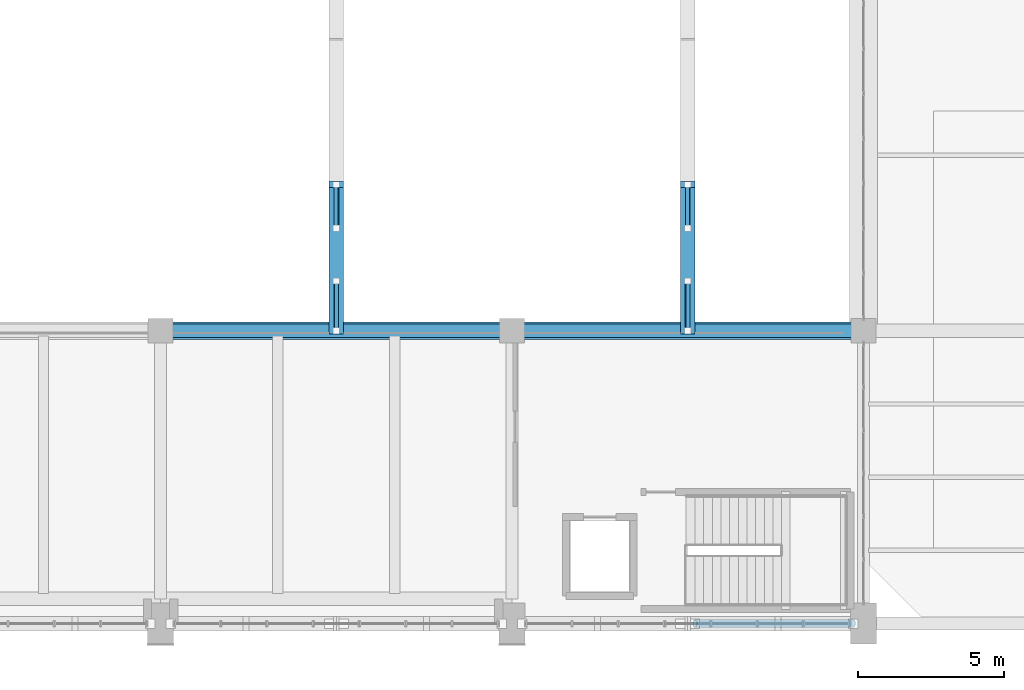
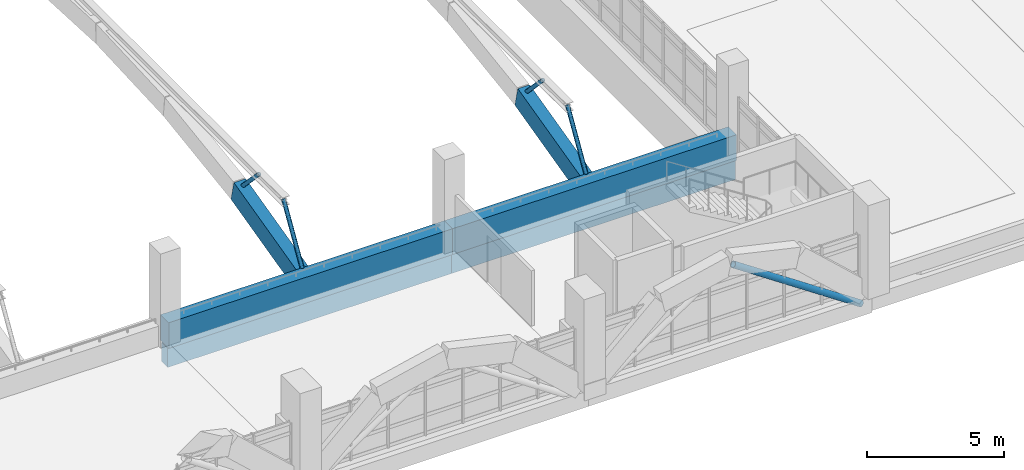
# One storey, part 38 of 161: 6 beams, 5 members.
"""IFC4 building model written with IfcOpenShell, lengths in metres."""

from ifc_helpers import new_model, si_unit, direction, frame, origin, origin_2d, place, context, subcontext, project, spatial, rectangle, hollow_circle, extrude, material, material_profile, profile_set, type_object, element, save


model = new_model("IFC4")

# Units and contexts
model_context = context("Model", 3, precision=1e-05, world=origin(), true_north=direction((0.0, 1.0)))
body_context = subcontext(model_context, "Body", "Model", "MODEL_VIEW")
ifc_project = project(units=[si_unit("LENGTHUNIT", "METRE"), si_unit("AREAUNIT", "SQUARE_METRE"), si_unit("VOLUMEUNIT", "CUBIC_METRE"), si_unit("PLANEANGLEUNIT", "RADIAN"), si_unit("MASSUNIT", "GRAM", prefix="KILO")], contexts=[model_context])

# Site, building, storey
site_placement = place(None, origin())
site = spatial("IfcSite", under=ifc_project, at=site_placement, CompositionType="ELEMENT")
building_placement = place(site_placement, origin())
building = spatial("IfcBuilding", under=site, at=building_placement, Name="Mersad Railyard Sports Hall", CompositionType="ELEMENT")
storey_placement = place(building_placement, frame((0.0, 0.0, 4.800048828125)))
storey = spatial("IfcBuildingStorey", under=building, at=storey_placement, Name="L01", CompositionType="ELEMENT", Elevation=4.800048828125)

# Beams
ifc_material_1 = material(Name="Concrete C40/50", Category="concrete")
ifc_material_profile_1 = material_profile(ifc_material_1, rectangle(XDim=0.449951171875, YDim=0.85009765625, at=origin_2d()), Name="RC 450x850")
ifc_profile_set_1 = profile_set([ifc_material_profile_1], Name="Concrete C40/50")
beam_type_1 = type_object("IfcBeamType", Name="STR-BM-B02", PredefinedType="BEAM", material=ifc_profile_set_1)
for number, where, z_axis, x_axis, name in (
    (1, (67.0, 13.5, -0.705078125), (1.0, 0.0, 0.0), (0.0, 1.0, 0.0), "Beam B02-0293"),
    (2, (79.0, 13.5, -0.705078125), (1.0, 0.0, 0.0), (0.0, 1.0, 0.0), "Beam B02-0318"),
):
    element("IfcBeam", number, at=place(storey_placement, frame(where, z_axis=z_axis, x_axis=x_axis)), inside=storey, type_object=beam_type_1, Name=name, PredefinedType="BEAM", context=body_context, shape_type="SweptSolid", body=[
        extrude(rectangle(XDim=0.449951171875, YDim=0.85009765625, at=origin_2d()), origin(), (0.0, 0.0, 1.0), 12.0),
    ])
ifc_material_2 = material(Name="Concrete C50/60", Category="concrete")
ifc_material_profile_2 = material_profile(ifc_material_2, rectangle(XDim=0.60009765625, YDim=1.14990234375, at=origin_2d()), Name="RC 600x1150")
ifc_profile_set_2 = profile_set([ifc_material_profile_2], Name="Concrete C50/60")
beam_type_2 = type_object("IfcBeamType", Name="STR-BM-B05", PredefinedType="BEAM", material=ifc_profile_set_2)
for number, where, z_axis, x_axis, name in (
    (3, (67.0, 13.5, 0.33984375), (1.0, 0.0, 0.0), (0.0, 1.0, 0.0), "Beam B05-0544"),
    (4, (79.0, 13.5, 0.33984375), (1.0, 0.0, 0.0), (0.0, 1.0, 0.0), "Beam B05-0552"),
):
    element("IfcBeam", number, at=place(storey_placement, frame(where, z_axis=z_axis, x_axis=x_axis)), inside=storey, type_object=beam_type_2, Name=name, PredefinedType="BEAM", context=body_context, shape_type="SweptSolid", body=[
        extrude(rectangle(XDim=0.60009765625, YDim=1.14990234375, at=origin_2d()), origin(), (0.0, 0.0, 1.0), 12.0),
    ])
ifc_material_3 = material(Name="Architectural concrete C50/60", Category="concrete")
ifc_material_profile_3 = material_profile(ifc_material_3, rectangle(XDim=0.5, YDim=0.89990234375, at=origin_2d()), Name="VR 500x900")
ifc_profile_set_3 = profile_set([ifc_material_profile_3], Name="Architectural concrete C50/60")
beam_type_3 = type_object("IfcBeamType", Name="STR-BM-VR02", PredefinedType="BEAM", material=ifc_profile_set_3)
for number, where, z_axis, x_axis, name in (
    (5, (73.0, 13.5, 0.339599609375), (0.0, 0.970609045837, 0.240661754627), (-1.0, 0.0, 0.0), "Beam VR02-0546"),
    (6, (85.0, 13.5, 0.339599609375), (0.0, 0.970609045837, 0.240661754627), (-1.0, 0.0, 0.0), "Beam VR02-0554"),
):
    element("IfcBeam", number, at=place(storey_placement, frame(where, z_axis=z_axis, x_axis=x_axis)), inside=storey, type_object=beam_type_3, Name=name, PredefinedType="BEAM", context=body_context, shape_type="SweptSolid", body=[
        extrude(rectangle(XDim=0.5, YDim=0.89990234375, at=origin_2d()), origin(), (0.0, 0.0, 1.0), 5.1513671875),
    ])

# Members
ifc_material_4 = material(Name="Steel S355", Category="steel")
ifc_material_profile_4 = material_profile(ifc_material_4, hollow_circle(Radius=0.136474609375, WallThickness=0.012451171875, at=origin_2d()), Name="CHS 273x12.5")
ifc_profile_set_4 = profile_set([ifc_material_profile_4], Name="Steel S355")
member_type_1 = type_object("IfcMemberType", Name="STR-MEM-BR02", PredefinedType="BRACE", material=ifc_profile_set_4)
member_1_placement = place(storey_placement, frame((90.64990234375, 3.5, -0.6201171875), z_axis=(-0.829190125257, 0.0, 0.558966668215), x_axis=(0.0, -1.0, 0.0)))
element("IfcMember", 7, at=member_1_placement, inside=storey, type_object=member_type_1, Name="Structural member BR02-0026", PredefinedType="BRACE", context=body_context, shape_type="SweptSolid", body=[
    extrude(hollow_circle(Radius=0.136474609375, WallThickness=0.012451171875, at=origin_2d()), origin(), (0.0, 0.0, 1.0), 6.51220703125),
])
ifc_material_profile_5 = material_profile(ifc_material_4, hollow_circle(Radius=0.084228515625, WallThickness=0.008056640625, at=origin_2d()), Name="CHS 168.3x8")
ifc_profile_set_5 = profile_set([ifc_material_profile_5], Name="Steel S355")
member_type_2 = type_object("IfcMemberType", Name="STR-MEM-BR03", PredefinedType="BRACE", material=ifc_profile_set_5)
member_2_placement = place(storey_placement, frame((73.0, 13.5, 0.339599609375), z_axis=(0.0, 0.517575030521, 0.855637825123), x_axis=(-1.0, 0.0, 0.0)))
element("IfcMember", 8, at=member_2_placement, inside=storey, type_object=member_type_2, Name="Structural member BR03-0085", PredefinedType="BRACE", context=body_context, shape_type="SweptSolid", body=[
    extrude(hollow_circle(Radius=0.084228515625, WallThickness=0.008056640625, at=origin_2d()), origin(), (0.0, 0.0, 1.0), 3.284423828125),
])
member_3_placement = place(storey_placement, frame((73.0, 18.5, 1.579345703125), z_axis=(0.0, -0.690676243766, 0.723164107446), x_axis=(1.0, 0.0, 0.0)))
element("IfcMember", 9, at=member_3_placement, inside=storey, type_object=member_type_2, Name="Structural member BR03-0086", PredefinedType="BRACE", context=body_context, shape_type="SweptSolid", body=[
    extrude(hollow_circle(Radius=0.084228515625, WallThickness=0.008056640625, at=origin_2d()), origin(), (0.0, 0.0, 1.0), 2.171875),
])
member_4_placement = place(storey_placement, frame((85.0, 13.5, 0.339599609375), z_axis=(0.0, 0.517575030521, 0.855637825123), x_axis=(-1.0, 0.0, 0.0)))
element("IfcMember", 10, at=member_4_placement, inside=storey, type_object=member_type_2, Name="Structural member BR03-0090", PredefinedType="BRACE", context=body_context, shape_type="SweptSolid", body=[
    extrude(hollow_circle(Radius=0.084228515625, WallThickness=0.008056640625, at=origin_2d()), origin(), (0.0, 0.0, 1.0), 3.284423828125),
])
member_5_placement = place(storey_placement, frame((85.0, 18.5, 1.579345703125), z_axis=(0.0, -0.690676243766, 0.723164107446), x_axis=(1.0, 0.0, 0.0)))
element("IfcMember", 11, at=member_5_placement, inside=storey, type_object=member_type_2, Name="Structural member BR03-0091", PredefinedType="BRACE", context=body_context, shape_type="SweptSolid", body=[
    extrude(hollow_circle(Radius=0.084228515625, WallThickness=0.008056640625, at=origin_2d()), origin(), (0.0, 0.0, 1.0), 2.171875),
])

save(model, "model.ifc")
